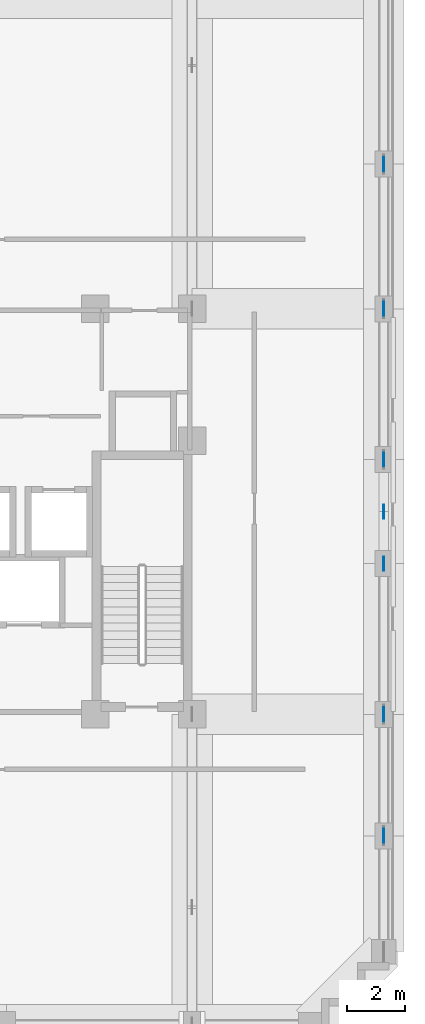
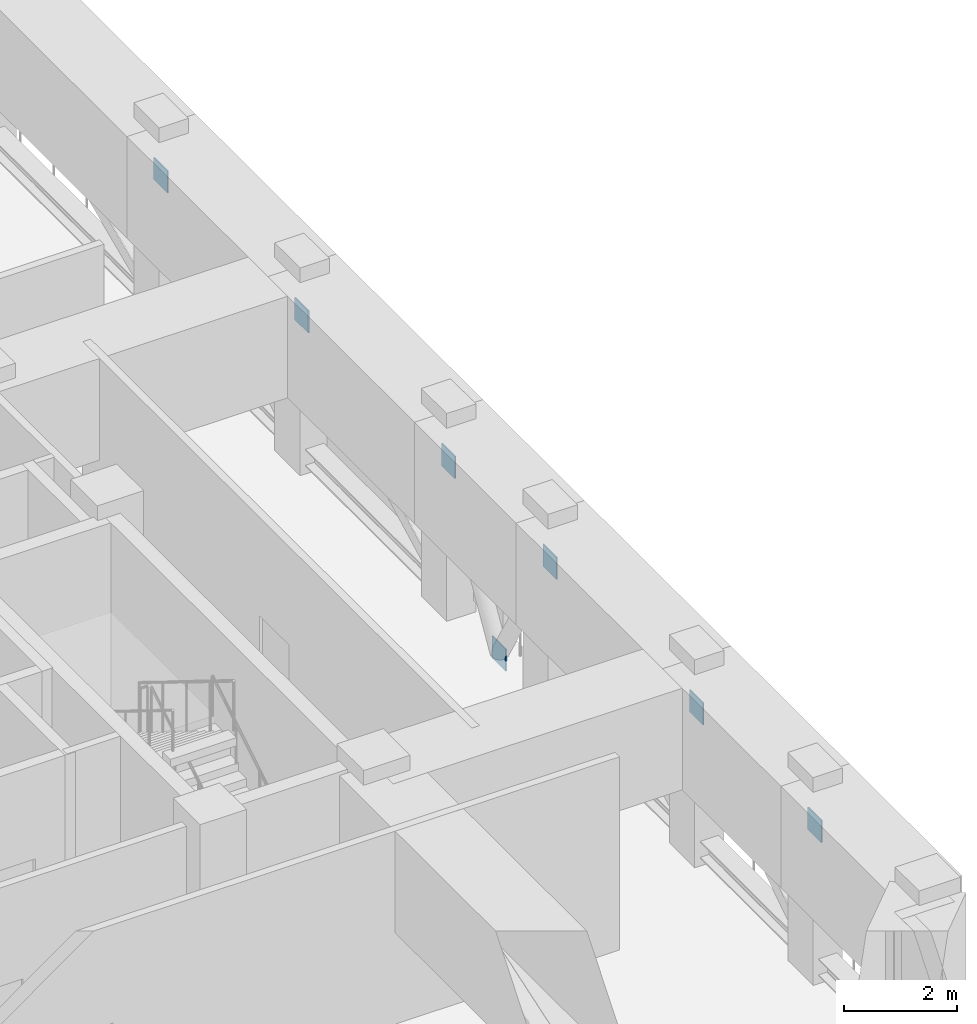
# One storey, part 7 of 12: 7 discrete accessories.
"""IFC4 building model written with IfcOpenShell, lengths in metres."""

from ifc_helpers import new_model, si_unit, derived_unit, direction, frame, origin, origin_2d, place, context, subcontext, project, spatial, rectangle, extrude, material, layer, layer_set, type_object, element, save


model = new_model("IFC4")

# Units and contexts
model_context = context("Model", 3, precision=1e-05, world=origin(), true_north=direction((0.0, 1.0)))
body_context = subcontext(model_context, "Body", "Model", "MODEL_VIEW")
ifc_project = project(units=[si_unit("LENGTHUNIT", "METRE"), si_unit("AREAUNIT", "SQUARE_METRE"), si_unit("VOLUMEUNIT", "CUBIC_METRE"), si_unit("PLANEANGLEUNIT", "RADIAN"), si_unit("MASSUNIT", "GRAM", prefix="KILO"), derived_unit("THERMALTRANSMITTANCEUNIT", [(si_unit("MASSUNIT", "GRAM", prefix="KILO"), 1), (si_unit("TIMEUNIT", "SECOND"), -3), (si_unit("THERMODYNAMICTEMPERATUREUNIT", "KELVIN"), -1)])], contexts=[model_context])

# Site, building, storey
site_placement = place(None, origin())
site = spatial("IfcSite", under=ifc_project, at=site_placement, CompositionType="ELEMENT")
building_placement = place(site_placement, origin())
building = spatial("IfcBuilding", under=site, at=building_placement, Name="Korrvale Station Residences", CompositionType="ELEMENT")
storey_placement = place(building_placement, frame((0.0, 0.0, 169.89990234375)))
storey = spatial("IfcBuildingStorey", under=building, at=storey_placement, Name="L49", CompositionType="ELEMENT", Elevation=169.89990234375)

# Discrete accessories
ifc_material = material(Name="Steel S355", Category="steel")
ifc_layer = layer(ifc_material, 0.02490234375, Name="Steel S355")
ifc_layer_set = layer_set([ifc_layer], Name="Steel S355")
discrete_accessory_type = type_object("IfcDiscreteAccessoryType", Name="ACC-GUSSET-25", PredefinedType="BRACKET", material=ifc_layer_set)
for number, where, z_axis, x_axis, name in (
    (1, (39.820068359375, 22.0, -0.219970703125), (0.0, 0.0, 1.0), (0.0, 1.0, 0.0), "L49 E Brace End Gusset Connection M"),
    (2, (39.820068359375, 20.199951171875, 2.860107421875), (0.0, 0.0, 1.0), (0.0, 1.0, 0.0), "L49 E Brace End Gusset Connection A"),
    (3, (39.820068359375, 23.800048828125, 2.860107421875), (0.0, 0.0, 1.0), (0.0, 1.0, 0.0), "L49 E Brace End Gusset Connection B"),
    (4, (39.820068359375, 10.800048828125, 2.860107421875), (0.0, 0.0, 1.0), (0.0, 1.0, 0.0), "L49 Belt Truss Top Gusset Connection 17"),
    (5, (39.820068359375, 15.0, 2.860107421875), (0.0, 0.0, 1.0), (0.0, 1.0, 0.0), "L49 Belt Truss Top Gusset Connection 18"),
    (6, (39.820068359375, 29.0, 2.860107421875), (0.0, 0.0, 1.0), (0.0, 1.0, 0.0), "L49 Belt Truss Top Gusset Connection 20"),
    (7, (39.820068359375, 34.0, 2.860107421875), (0.0, 0.0, 1.0), (0.0, 1.0, 0.0), "L49 Belt Truss Top Gusset Connection 21"),
):
    element("IfcDiscreteAccessory", number, at=place(storey_placement, frame(where, z_axis=z_axis, x_axis=x_axis)), inside=storey, type_object=discrete_accessory_type, Name=name, PredefinedType="BRACKET", context=body_context, shape_type="SweptSolid", body=[
        extrude(rectangle(XDim=0.47998046875, YDim=0.02490234375, at=origin_2d()), origin(), (0.0, 0.0, 1.0), 0.47998046875),
    ])

save(model, "model.ifc")
